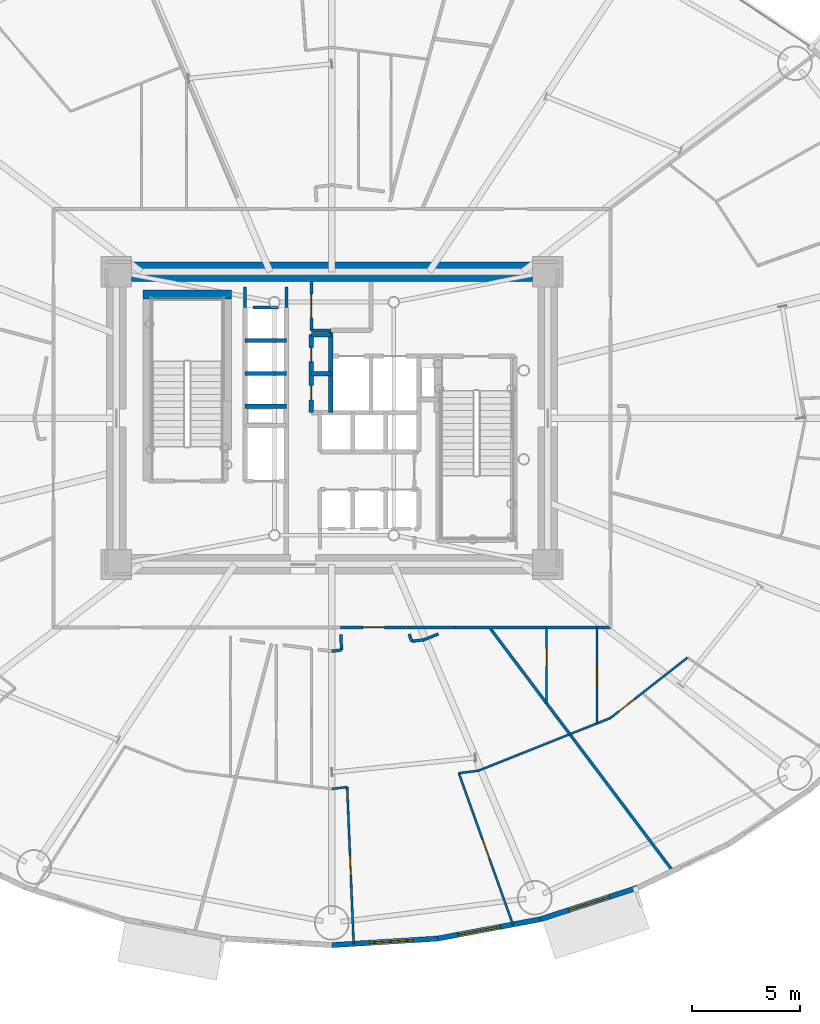
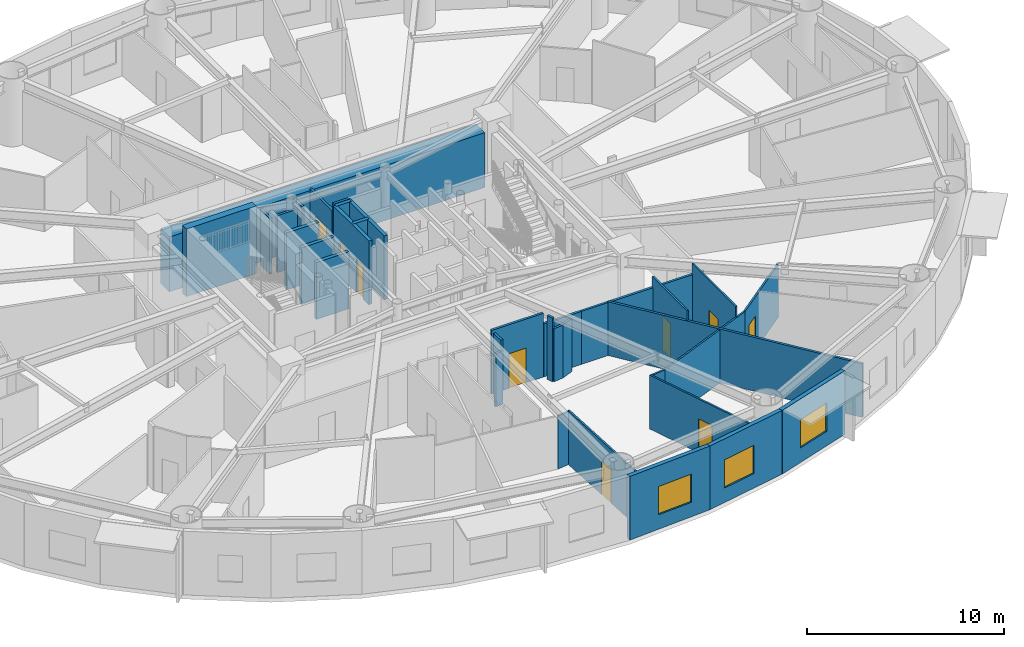
# One storey, part 12 of 24: 34 walls, 9 doors, 3 windows, 12 openings.
"""IFC4 building model written with IfcOpenShell, lengths in metres."""

import ifcopenshell
import ifcopenshell.guid

model = None  # the IFC model being written
_history = None  # IfcOwnerHistory: only IFC2X3 demands one
_inside = {}  # id of a spatial element -> (the spatial element, [elements in it])
_under = {}  # id of a project, library or spatial element -> (it, [spatial elements below it])
_declared = {}  # id of a project -> (the project, [libraries it declares])
_typed = {}  # id of a type object -> (the type object, [elements of that type])
_made_of = {}  # id of a material, layer set ... -> (it, [elements and type objects made of it])


def new_model(schema):
    """Start an empty IFC model of exactly this schema.

    Asked for "IFC4X3", IfcOpenShell would pick the latest addendum, in which some entities
    have other attributes; the version numbers below select the first issue.
    IFC2X3 requires an IfcOwnerHistory on every rooted entity: one is made here for all.
    """
    global model, _history
    if schema == "IFC4X3":
        model = ifcopenshell.file(schema_version=(4, 3, 0, 0))
    else:
        model = ifcopenshell.file(schema=schema)
    _inside.clear()
    _under.clear()
    _declared.clear()
    _typed.clear()
    _made_of.clear()
    _history = None
    if model.schema == "IFC2X3":
        org = make("IfcOrganization", Name="unknown")
        user = make(
            "IfcPersonAndOrganization",
            ThePerson=make("IfcPerson", FamilyName="unknown"),
            TheOrganization=org,
        )
        app = make(
            "IfcApplication",
            ApplicationDeveloper=org,
            Version="unknown",
            ApplicationFullName="unknown",
            ApplicationIdentifier="unknown",
        )
        _history = make(
            "IfcOwnerHistory",
            OwningUser=user,
            OwningApplication=app,
            ChangeAction="ADDED",
            CreationDate=0,
        )
    return model


def make(cls, **values):
    """One entity of the class cls with the attributes given. An attribute that is None is left unset."""
    return model.create_entity(
        cls, **{name: value for name, value in values.items() if value is not None}
    )


def rooted(cls, **values):
    """An entity with a GlobalId (a new one), such as an element, a storey or a relation."""
    return make(cls, GlobalId=ifcopenshell.guid.new(), OwnerHistory=_history, **values)


def si_unit(unit_type, name, prefix=None):
    """IfcSIUnit, for example si_unit("LENGTHUNIT", "METRE", prefix="MILLI")."""
    return make("IfcSIUnit", UnitType=unit_type, Prefix=prefix, Name=name)


def assignment(units):
    """IfcUnitAssignment: the units of a project."""
    return None if units is None else make("IfcUnitAssignment", Units=units)


def point(xyz):
    """IfcCartesianPoint."""
    return None if xyz is None else make("IfcCartesianPoint", Coordinates=xyz)


def direction(xyz):
    """IfcDirection."""
    return None if xyz is None else make("IfcDirection", DirectionRatios=xyz)


def frame(location, z_axis=None, x_axis=None):
    """IfcAxis2Placement3D, a coordinate frame: its origin and axes. An axis left out is left unset."""
    return make(
        "IfcAxis2Placement3D",
        Location=point(location),
        Axis=direction(z_axis),
        RefDirection=direction(x_axis),
    )


def frame_2d(location, x_axis=None):
    """IfcAxis2Placement2D, a coordinate frame in the plane: its origin and x axis."""
    return make(
        "IfcAxis2Placement2D", Location=point(location), RefDirection=direction(x_axis)
    )


def origin():
    """The frame at (0, 0, 0) with its axes left unset."""
    return frame((0.0, 0.0, 0.0))


def origin_2d():
    """The frame at (0, 0) in the plane with its x axis left unset."""
    return frame_2d((0.0, 0.0))


def place(relative_to, where):
    """IfcLocalPlacement: puts the frame where relative to a parent placement (None: the world)."""
    return make(
        "IfcLocalPlacement", PlacementRelTo=relative_to, RelativePlacement=where
    )


def context(
    kind, dimensions, precision=None, world=None, true_north=None, identifier=None
):
    """IfcGeometricRepresentationContext, for example the 3D "Model" context."""
    return make(
        "IfcGeometricRepresentationContext",
        ContextIdentifier=identifier,
        ContextType=kind,
        CoordinateSpaceDimension=dimensions,
        Precision=precision,
        WorldCoordinateSystem=world,
        TrueNorth=true_north,
    )


def subcontext(parent, identifier, kind, view, scale=None):
    """IfcGeometricRepresentationSubContext, for example "Body" below "Model"."""
    return make(
        "IfcGeometricRepresentationSubContext",
        ContextIdentifier=identifier,
        ContextType=kind,
        ParentContext=parent,
        TargetScale=scale,
        TargetView=view,
    )


def project(units=None, contexts=None):
    """IfcProject with its units and contexts."""
    return rooted(
        "IfcProject",
        Name="project",
        RepresentationContexts=contexts,
        UnitsInContext=assignment(units),
    )


def spatial(cls, under=None, at=None, **own):
    """A site, building, storey or space (cls), placed at a placement, below another one or the project."""
    s = rooted(cls, ObjectPlacement=at, **own)
    if under is not None:
        _under.setdefault(under.id(), (under, []))[1].append(s)
    return s


def profile(cls, at=None, kind="AREA", **sizes):
    """A parametric profile (cls). Its sizes go by their IFC names, for example OverallWidth=200.0."""
    return make(cls, ProfileType=kind, Position=at, **sizes)


def rectangle(**sizes):
    """IfcRectangleProfileDef."""
    return profile("IfcRectangleProfileDef", **sizes)


def extrude(swept, where, along, depth):
    """IfcExtrudedAreaSolid: the profile swept, set in the frame where, extruded along a direction by depth."""
    return make(
        "IfcExtrudedAreaSolid",
        SweptArea=swept,
        Position=where,
        ExtrudedDirection=direction(along),
        Depth=depth,
    )


def shape(context_of_items, identifier, shape_type, items):
    """IfcShapeRepresentation: the items that make up one representation, for example the "Body"."""
    return make(
        "IfcShapeRepresentation",
        ContextOfItems=context_of_items,
        RepresentationIdentifier=identifier,
        RepresentationType=shape_type,
        Items=items,
    )


def source(mapping_origin, context_of_items, identifier, shape_type, items):
    """IfcRepresentationMap: a shape defined once, which mapped items show again and again."""
    return make(
        "IfcRepresentationMap",
        MappingOrigin=mapping_origin,
        MappedRepresentation=shape(context_of_items, identifier, shape_type, items),
    )


def transform(
    local_origin,
    x_axis=None,
    y_axis=None,
    z_axis=None,
    scale=None,
    scale2=None,
    scale3=None,
    uniform=True,
):
    """IfcCartesianTransformationOperator3D, or its non-uniform kind. x_axis, y_axis, z_axis: its Axis1, 2, 3."""
    if uniform:
        return make(
            "IfcCartesianTransformationOperator3D",
            Axis1=direction(x_axis),
            Axis2=direction(y_axis),
            LocalOrigin=point(local_origin),
            Scale=scale,
            Axis3=direction(z_axis),
        )
    return make(
        "IfcCartesianTransformationOperator3DnonUniform",
        Axis1=direction(x_axis),
        Axis2=direction(y_axis),
        LocalOrigin=point(local_origin),
        Scale=scale,
        Axis3=direction(z_axis),
        Scale2=scale2,
        Scale3=scale3,
    )


def mapped(mapping_source, mapping_target):
    """IfcMappedItem: shows the shape of a source again, moved by a transform."""
    return make(
        "IfcMappedItem", MappingSource=mapping_source, MappingTarget=mapping_target
    )


def material(Name=None, Category=None):
    """IfcMaterial."""
    return make("IfcMaterial", Name=Name, Category=Category)


def layer(
    of_material, thickness, ventilated=None, Name=None, Category=None, Priority=None
):
    """IfcMaterialLayer: one layer of a wall or slab, of a material (None: an air gap)."""
    return make(
        "IfcMaterialLayer",
        Material=of_material,
        LayerThickness=thickness,
        IsVentilated=ventilated,
        Name=Name,
        Category=Category,
        Priority=Priority,
    )


def layer_set(layers, Name=None):
    """IfcMaterialLayerSet."""
    return make("IfcMaterialLayerSet", MaterialLayers=layers, LayerSetName=Name)


def made_of(thing, what):
    """Note that an element or type object is made of a material, layer set ...; save() writes the relation."""
    if what is not None:
        _made_of.setdefault(what.id(), (what, []))[1].append(thing)
    return thing


def type_object(cls, material=None, **own):
    """A type object (cls), such as IfcWallType, which elements share."""
    return made_of(rooted(cls, **own), material)


def element(
    cls,
    number,
    at=None,
    inside=None,
    cuts=None,
    type_object=None,
    material=None,
    context=None,
    identifier="Body",
    shape_type=None,
    held_by="IfcProductDefinitionShape",
    body=None,
    shapes=None,
    **own,
):
    """One element of the class cls, such as IfcWall. Its Tag is "e" and its number.

    at: its placement. inside: the storey or other place that contains it. cuts: it is an
    opening in that element (IfcRelVoidsElement). A single representation is given by context,
    identifier, shape_type and body (its items); several are given by shapes. held_by: the class
    of the entity that holds the representations. save() writes the other relations.
    """
    e = rooted(cls, Tag="e%d" % number, ObjectPlacement=at, **own)
    if body is not None:
        shapes = [shape(context, identifier, shape_type, body)]
    if shapes is not None:
        e.Representation = make(held_by, Representations=shapes)
    if inside is not None:
        _inside.setdefault(inside.id(), (inside, []))[1].append(e)
    if cuts is not None:
        rooted(
            "IfcRelVoidsElement", RelatingBuildingElement=cuts, RelatedOpeningElement=e
        )
    if type_object is not None:
        _typed.setdefault(type_object.id(), (type_object, []))[1].append(e)
    return made_of(e, material)


def fill(opening, filler):
    """IfcRelFillsElement: the door or window that sits in an opening."""
    return rooted(
        "IfcRelFillsElement",
        RelatingOpeningElement=opening,
        RelatedBuildingElement=filler,
    )


def aggregate(whole, parts):
    """IfcRelAggregates: a whole, such as a stair, and the parts it consists of."""
    return rooted("IfcRelAggregates", RelatingObject=whole, RelatedObjects=parts)


def save(model, path):
    """Write the relations noted so far, then the file.

    IfcRelAggregates (storeys below a building ...), IfcRelContainedInSpatialStructure (elements
    in a storey), IfcRelDefinesByType, IfcRelAssociatesMaterial and IfcRelDeclares: one each for
    every whole, place, type object, material and project.
    """
    for whole, parts in _under.values():
        aggregate(whole, parts)
    for where, things in _inside.values():
        rooted(
            "IfcRelContainedInSpatialStructure",
            RelatedElements=things,
            RelatingStructure=where,
        )
    for kind, things in _typed.values():
        rooted("IfcRelDefinesByType", RelatedObjects=things, RelatingType=kind)
    for what, things in _made_of.values():
        rooted("IfcRelAssociatesMaterial", RelatedObjects=things, RelatingMaterial=what)
    for by, libraries in _declared.values():
        rooted("IfcRelDeclares", RelatingContext=by, RelatedDefinitions=libraries)
    model.write(path)


model = new_model("IFC4")

# Units and contexts
model_context = context("Model", 3, precision=1e-05, world=origin(), true_north=direction((0.0, 1.0)))
body_context = subcontext(model_context, "Body", "Model", "MODEL_VIEW")
ifc_project = project(units=[si_unit("LENGTHUNIT", "METRE"), si_unit("AREAUNIT", "SQUARE_METRE"), si_unit("VOLUMEUNIT", "CUBIC_METRE"), si_unit("PLANEANGLEUNIT", "RADIAN"), si_unit("MASSUNIT", "GRAM", prefix="KILO")], contexts=[model_context])

# Site, building, storey
site_placement = place(None, origin())
site = spatial("IfcSite", under=ifc_project, at=site_placement, CompositionType="ELEMENT")
building_placement = place(site_placement, origin())
building = spatial("IfcBuilding", under=site, at=building_placement, Name="Linh Dai School and Residence Tower", CompositionType="ELEMENT")
storey_placement = place(building_placement, frame((0.0, 0.0, 74.39990234375)))
storey = spatial("IfcBuildingStorey", under=building, at=storey_placement, Name="L17", CompositionType="ELEMENT", Elevation=74.39990234375)

# Wall, opening, window
ifc_material_1 = material(Name="Precast Concrete B45 (C35/45)", Category="concrete")
ifc_layer_1 = layer(ifc_material_1, 0.239990234375)
ifc_layer_set_1 = layer_set([ifc_layer_1], Name="Precast Concrete B45 (C35/45)")
wall_type_1 = type_object("IfcWallType", Name="EW-TC-240", PredefinedType="SOLIDWALL", material=ifc_layer_set_1)
wall_1_placement = place(storey_placement, frame((40.865478515625, 2.994873046875, 0.0), z_axis=(0.0, 0.0, 1.0), x_axis=(-0.998106954071, -0.061502099433, 0.0)))
wall_1 = element("IfcWall", 1, at=wall_1_placement, inside=storey, type_object=wall_type_1, Name="L17 Terracotta Exterior Wall 31", PredefinedType="SOLIDWALL", context=body_context, shape_type="SweptSolid", body=[
    extrude(rectangle(XDim=4.874755859375, YDim=0.239990234375, at=frame_2d((2.4375, 0.0))), origin(), (0.0, 0.0, 1.0), 3.9501953125),
])
opening_1_placement = place(wall_1_placement, frame((1.128173828125, 0.0, 0.89990234375)))
opening_1 = element("IfcOpeningElement", 2, at=opening_1_placement, cuts=wall_1, Name="Opening W1", PredefinedType="OPENING", context=body_context, shape_type="SweptSolid", body=[
    extrude(rectangle(XDim=2.0, YDim=1.75, at=origin_2d()), frame((1.0, 0.1298828125, 0.875), z_axis=(0.0, -1.0, 0.0), x_axis=(1.0, 0.0, 0.0)), (0.0, 0.0, 1.0), 0.260009765625),
])
ifc_material_2 = material(Name="Double Low-E Insulated Glazing", Category="glass")
window_type = type_object("IfcWindowType", Name="WN-RES-2000x1750", PartitioningType="DOUBLE_PANEL_VERTICAL", PredefinedType="WINDOW", material=ifc_material_2)
shared_shape_1 = source(origin(), body_context, "Body", "SweptSolid", [
    extrude(rectangle(XDim=2.0, YDim=1.75, at=origin_2d()), frame((1.0, 0.030029296875, 0.875), z_axis=(0.0, -1.0, 0.0), x_axis=(1.0, 0.0, 0.0)), (0.0, 0.0, 1.0), 0.06005859375),
])
window_1_placement = place(opening_1_placement, origin())
window_1 = element("IfcWindow", 3, at=window_1_placement, inside=storey, type_object=window_type, Name="L17 Exterior Window 31.1", OverallHeight=1.75, OverallWidth=2.0, PartitioningType="DOUBLE_PANEL_VERTICAL", PredefinedType="WINDOW", context=body_context, shape_type="MappedRepresentation", body=[
    mapped(shared_shape_1, transform((0.0, 0.0, 0.0), x_axis=(1.0, 0.0, 0.0), y_axis=(0.0, 1.0, 0.0), z_axis=(0.0, 0.0, 1.0), scale=1.0)),
])
fill(opening_1, window_1)

wall_2_placement = place(storey_placement, frame((45.610595703125, 3.88671875, 0.0), z_axis=(0.0, 0.0, 1.0), x_axis=(-0.982791952378, -0.184715939598, 0.0)))
wall_2 = element("IfcWall", 4, at=wall_2_placement, inside=storey, type_object=wall_type_1, Name="L17 Terracotta Exterior Wall 32", PredefinedType="SOLIDWALL", context=body_context, shape_type="SweptSolid", body=[
    extrude(rectangle(XDim=4.828125, YDim=0.239990234375, at=frame_2d((2.4140625, 0.0))), origin(), (0.0, 0.0, 1.0), 3.9501953125),
])
opening_2_placement = place(wall_2_placement, frame((1.873779296875, 0.0, 0.89990234375)))
opening_2 = element("IfcOpeningElement", 5, at=opening_2_placement, cuts=wall_2, Name="Opening W1", PredefinedType="OPENING", context=body_context, shape_type="SweptSolid", body=[
    extrude(rectangle(XDim=2.0, YDim=1.75, at=origin_2d()), frame((1.0, 0.1298828125, 0.875), z_axis=(0.0, -1.0, 0.0), x_axis=(1.0, 0.0, 0.0)), (0.0, 0.0, 1.0), 0.260009765625),
])
window_2_placement = place(opening_2_placement, origin())
window_2 = element("IfcWindow", 6, at=window_2_placement, inside=storey, type_object=window_type, Name="L17 Exterior Window 32.1", OverallHeight=1.75, OverallWidth=2.0, PartitioningType="DOUBLE_PANEL_VERTICAL", PredefinedType="WINDOW", context=body_context, shape_type="MappedRepresentation", body=[
    mapped(shared_shape_1, transform((0.0, 0.0, 0.0), x_axis=(1.0, 0.0, 0.0), y_axis=(0.0, 1.0, 0.0), z_axis=(0.0, 0.0, 1.0), scale=1.0)),
])
fill(opening_2, window_2)

wall_3_placement = place(storey_placement, frame((50.1181640625, 5.348876953125, 0.0), z_axis=(0.0, 0.0, 1.0), x_axis=(-0.951207699013, -0.308551313946, 0.0)))
wall_3 = element("IfcWall", 7, at=wall_3_placement, inside=storey, type_object=wall_type_1, Name="L17 Terracotta Exterior Wall 33", PredefinedType="SOLIDWALL", context=body_context, shape_type="SweptSolid", body=[
    extrude(rectangle(XDim=4.73876953125, YDim=0.239990234375, at=frame_2d((2.369384765625, 0.0))), origin(), (0.0, 0.0, 1.0), 3.9501953125),
])
opening_3_placement = place(wall_3_placement, frame((1.369384765625, 0.0, 0.89990234375)))
opening_3 = element("IfcOpeningElement", 8, at=opening_3_placement, cuts=wall_3, Name="Opening W1", PredefinedType="OPENING", context=body_context, shape_type="SweptSolid", body=[
    extrude(rectangle(XDim=2.0, YDim=1.75, at=origin_2d()), frame((1.0, 0.1298828125, 0.875), z_axis=(0.0, -1.0, 0.0), x_axis=(1.0, 0.0, 0.0)), (0.0, 0.0, 1.0), 0.260009765625),
])
window_3_placement = place(opening_3_placement, origin())
window_3 = element("IfcWindow", 9, at=window_3_placement, inside=storey, type_object=window_type, Name="L17 Exterior Window 33.1", OverallHeight=1.75, OverallWidth=2.0, PartitioningType="DOUBLE_PANEL_VERTICAL", PredefinedType="WINDOW", context=body_context, shape_type="MappedRepresentation", body=[
    mapped(shared_shape_1, transform((0.0, 0.0, 0.0), x_axis=(1.0, 0.0, 0.0), y_axis=(0.0, 1.0, 0.0), z_axis=(0.0, 0.0, 1.0), scale=1.0)),
])
fill(opening_3, window_3)

# Wall, opening, door
ifc_material_3 = material(Name="Autoclaved Aerated Concrete Blockwork", Category="masonry")
ifc_layer_2 = layer(ifc_material_3, 0.135009765625)
ifc_layer_set_2 = layer_set([ifc_layer_2], Name="Autoclaved Aerated Concrete Blockwork")
wall_type_2 = type_object("IfcWallType", Name="IW-CORR-135-EI90", PredefinedType="PARTITIONING", material=ifc_layer_set_2)
wall_4_placement = place(storey_placement, frame((35.050048828125, 31.050048828125, 0.0), z_axis=(0.0, 0.0, 1.0), x_axis=(0.0, 1.0, 0.0)))
wall_4 = element("IfcWall", 10, at=wall_4_placement, inside=storey, type_object=wall_type_2, Name="L17 Interior Partition Wall 051", PredefinedType="PARTITIONING", context=body_context, shape_type="SweptSolid", body=[
    extrude(rectangle(XDim=2.25, YDim=0.135009765625, at=frame_2d((1.125, 0.0))), origin(), (0.0, 0.0, 1.0), 3.53515625),
])
opening_4_placement = place(wall_4_placement, frame((0.574951171875, 0.0, 0.0)))
opening_4 = element("IfcOpeningElement", 11, at=opening_4_placement, cuts=wall_4, Name="Opening D07", PredefinedType="OPENING", context=body_context, shape_type="SweptSolid", body=[
    extrude(rectangle(XDim=1.10009765625, YDim=2.14990234375, at=origin_2d()), frame((0.550048828125, 0.07763671875, 1.074951171875), z_axis=(0.0, -1.0, 0.0), x_axis=(1.0, 0.0, 0.0)), (0.0, 0.0, 1.0), 0.155029296875),
])
ifc_material_4 = material(Name="Fire-Rated Louvred Steel Plant Door", Category="steel")
door_type_1 = type_object("IfcDoorType", Name="DR-PLT-1100x2150-FD60S", OperationType="NOTDEFINED", PredefinedType="DOOR", material=ifc_material_4)
shared_shape_2 = source(origin(), body_context, "Body", "SweptSolid", [
    extrude(rectangle(XDim=1.10009765625, YDim=2.14990234375, at=origin_2d()), frame((0.550048828125, 0.02490234375, 1.074951171875), z_axis=(0.0, -1.0, 0.0), x_axis=(1.0, 0.0, 0.0)), (0.0, 0.0, 1.0), 0.050048828125),
])
door_1_placement = place(opening_4_placement, origin())
door_1 = element("IfcDoor", 12, at=door_1_placement, inside=storey, type_object=door_type_1, Name="L17 North BMS Switchroom Door", OperationType="SINGLE_SWING_LEFT", OverallHeight=2.14990234375, OverallWidth=1.10009765625, PredefinedType="DOOR", context=body_context, shape_type="MappedRepresentation", body=[
    mapped(shared_shape_2, transform((0.0, 0.0, 0.0), x_axis=(1.0, 0.0, 0.0), y_axis=(0.0, 1.0, 0.0), z_axis=(0.0, 0.0, 1.0), scale=1.0)),
])
fill(opening_4, door_1)

# Wall
wall_5_placement = place(storey_placement, frame((35.050048828125, 31.050048828125, 0.0), z_axis=(0.0, 0.0, 1.0), x_axis=(1.0, 0.0, 0.0)))
element("IfcWall", 13, at=wall_5_placement, inside=storey, type_object=wall_type_2, Name="L17 Interior Partition Wall 052", PredefinedType="PARTITIONING", context=body_context, shape_type="SweptSolid", body=[
    extrude(rectangle(XDim=0.89990234375, YDim=0.135009765625, at=frame_2d((0.449951171875, 0.0))), origin(), (0.0, 0.0, 1.0), 3.9501953125),
])

# Wall, opening, door
wall_6_placement = place(storey_placement, frame((36.398681640625, 17.35009765625, 0.0), z_axis=(0.0, 0.0, 1.0), x_axis=(1.0, 0.0, 0.0)))
wall_6 = element("IfcWall", 14, at=wall_6_placement, inside=storey, type_object=wall_type_2, Name="L17 Interior Partition Wall 063", PredefinedType="PARTITIONING", context=body_context, shape_type="SweptSolid", body=[
    extrude(rectangle(XDim=3.05029296875, YDim=0.135009765625, at=frame_2d((1.525146484375, 0.0))), origin(), (0.0, 0.0, 1.0), 3.9501953125),
])
opening_5_placement = place(wall_6_placement, frame((1.025146484375, 0.0, 0.0)))
opening_5 = element("IfcOpeningElement", 15, at=opening_5_placement, cuts=wall_6, Name="Opening D03", PredefinedType="OPENING", context=body_context, shape_type="SweptSolid", body=[
    extrude(rectangle(XDim=1.0, YDim=2.14990234375, at=origin_2d()), frame((0.5, 0.07763671875, 1.074951171875), z_axis=(0.0, -1.0, 0.0), x_axis=(1.0, 0.0, 0.0)), (0.0, 0.0, 1.0), 0.155029296875),
])
ifc_material_5 = material(Name="Fire-Rated Solid Timber Entrance Door", Category="wood")
door_type_2 = type_object("IfcDoorType", Name="DR-FLAT-1000x2150-FD60S", OperationType="NOTDEFINED", PredefinedType="DOOR", material=ifc_material_5)
shared_shape_3 = source(origin(), body_context, "Body", "SweptSolid", [
    extrude(rectangle(XDim=1.0, YDim=2.14990234375, at=origin_2d()), frame((0.5, 0.02490234375, 1.074951171875), z_axis=(0.0, -1.0, 0.0), x_axis=(1.0, 0.0, 0.0)), (0.0, 0.0, 1.0), 0.050048828125),
])
door_2_placement = place(opening_5_placement, origin())
door_2 = element("IfcDoor", 16, at=door_2_placement, inside=storey, type_object=door_type_2, Name="L17 U1705 Apartment Entrance Door", OperationType="SINGLE_SWING_RIGHT", OverallHeight=2.14990234375, OverallWidth=1.0, PredefinedType="DOOR", context=body_context, shape_type="MappedRepresentation", body=[
    mapped(shared_shape_3, transform((0.0, 0.0, 0.0), x_axis=(1.0, 0.0, 0.0), y_axis=(0.0, 1.0, 0.0), z_axis=(0.0, 0.0, 1.0), scale=1.0)),
])
fill(opening_5, door_2)

# Walls
wall_7_placement = place(storey_placement, frame((41.6787109375, 17.35009765625, 0.0), z_axis=(0.0, 0.0, 1.0), x_axis=(1.0, 0.0, 0.0)))
element("IfcWall", 17, at=wall_7_placement, inside=storey, type_object=wall_type_2, Name="L17 Interior Partition Wall 084", PredefinedType="PARTITIONING", context=body_context, shape_type="SweptSolid", body=[
    extrude(rectangle(XDim=7.17138671875, YDim=0.135009765625, at=frame_2d((3.585693359375, 0.0))), origin(), (0.0, 0.0, 1.0), 3.28515625),
])
wall_8_placement = place(storey_placement, frame((43.26318359375, 17.35009765625, 0.0), z_axis=(0.0, 0.0, 1.0), x_axis=(0.601348900386, -0.798986545571, 0.0)))
element("IfcWall", 18, at=wall_8_placement, inside=storey, type_object=wall_type_2, Name="L17 Interior Partition Wall 089", PredefinedType="PARTITIONING", context=body_context, shape_type="SweptSolid", body=[
    extrude(rectangle(XDim=14.06494140625, YDim=0.135009765625, at=frame_2d((7.032470703125, 0.0))), origin(), (0.0, 0.0, 1.0), 3.335205078125),
])
wall_9_placement = place(storey_placement, frame((32.360107421875, 32.10009765625, 0.0), z_axis=(0.0, 0.0, 1.0), x_axis=(1.0, 0.0, 0.0)))
element("IfcWall", 19, at=wall_9_placement, inside=storey, type_object=wall_type_2, Name="L17 Interior Partition Wall 115", PredefinedType="PARTITIONING", context=body_context, shape_type="SweptSolid", body=[
    extrude(rectangle(XDim=1.179931640625, YDim=0.135009765625, at=frame_2d((0.58984375, 0.0))), origin(), (0.0, 0.0, 1.0), 3.53515625),
])
wall_10_placement = place(storey_placement, frame((32.0, 33.0400390625, 0.0), z_axis=(0.0, 0.0, 1.0), x_axis=(0.0, -1.0, 0.0)))
element("IfcWall", 20, at=wall_10_placement, inside=storey, type_object=wall_type_2, Name="L17 Interior Partition Wall 117", PredefinedType="PARTITIONING", context=body_context, shape_type="SweptSolid", body=[
    extrude(rectangle(XDim=0.929931640625, YDim=0.135009765625, at=frame_2d((0.46484375, 0.0))), origin(), (0.0, 0.0, 1.0), 3.485107421875),
])
wall_11_placement = place(storey_placement, frame((33.89990234375, 32.110107421875, 0.0), z_axis=(0.0, 0.0, 1.0), x_axis=(0.0, 1.0, 0.0)))
element("IfcWall", 21, at=wall_11_placement, inside=storey, type_object=wall_type_2, Name="L17 Interior Partition Wall 120", PredefinedType="PARTITIONING", context=body_context, shape_type="SweptSolid", body=[
    extrude(rectangle(XDim=0.929931640625, YDim=0.135009765625, at=frame_2d((0.46484375, 0.0))), origin(), (0.0, 0.0, 1.0), 3.53515625),
])
wall_12_placement = place(storey_placement, frame((41.668701171875, 17.35009765625, 0.0), z_axis=(0.0, 0.0, 1.0), x_axis=(-1.0, 0.0, 0.0)))
element("IfcWall", 22, at=wall_12_placement, inside=storey, type_object=wall_type_2, Name="L17 Interior Partition Wall 124", PredefinedType="PARTITIONING", context=body_context, shape_type="SweptSolid", body=[
    extrude(rectangle(XDim=2.209716796875, YDim=0.135009765625, at=frame_2d((1.10498046875, 0.0))), origin(), (0.0, 0.0, 1.0), 3.28515625),
])
wall_13_placement = place(storey_placement, frame((36.0, 16.250732421875, 0.0), z_axis=(0.0, 0.0, 1.0), x_axis=(0.992361995933, 0.123359916621, 0.0)))
element("IfcWall", 23, at=wall_13_placement, inside=storey, type_object=wall_type_2, Name="L17 Interior Partition Wall 146", PredefinedType="PARTITIONING", context=body_context, shape_type="SweptSolid", body=[
    extrude(rectangle(XDim=0.4453125, YDim=0.135009765625, at=frame_2d((0.22265625, 0.0))), origin(), (0.0, 0.0, 1.0), 3.28515625),
])
wall_14_placement = place(storey_placement, frame((36.44189453125, 16.3056640625, 0.0), z_axis=(0.0, 0.0, 1.0), x_axis=(-0.041177579393, 0.999151843793, 0.0)))
element("IfcWall", 24, at=wall_14_placement, inside=storey, type_object=wall_type_2, Name="L17 Interior Partition Wall 147", PredefinedType="PARTITIONING", context=body_context, shape_type="SweptSolid", body=[
    extrude(rectangle(XDim=0.71728515625, YDim=0.135009765625, at=frame_2d((0.358642578125, 0.0))), origin(), (0.0, 0.0, 1.0), 3.9501953125),
])
wall_15_placement = place(storey_placement, frame((39.558837890625, 17.04248046875, 0.0), z_axis=(0.0, 0.0, 1.0), x_axis=(0.336510056282, -0.941679872367, 0.0)))
element("IfcWall", 25, at=wall_15_placement, inside=storey, type_object=wall_type_2, Name="L17 Interior Partition Wall 148", PredefinedType="PARTITIONING", context=body_context, shape_type="SweptSolid", body=[
    extrude(rectangle(XDim=0.356201171875, YDim=0.135009765625, at=frame_2d((0.17822265625, 0.0))), origin(), (0.0, 0.0, 1.0), 3.9501953125),
])
wall_16_placement = place(storey_placement, frame((39.6787109375, 16.70703125, 0.0), z_axis=(0.0, 0.0, 1.0), x_axis=(0.99240961586, 0.122976234894, 0.0)))
element("IfcWall", 26, at=wall_16_placement, inside=storey, type_object=wall_type_2, Name="L17 Interior Partition Wall 149", PredefinedType="PARTITIONING", context=body_context, shape_type="SweptSolid", body=[
    extrude(rectangle(XDim=0.56787109375, YDim=0.135009765625, at=frame_2d((0.283935546875, 0.0))), origin(), (0.0, 0.0, 1.0), 3.28515625),
])
wall_17_placement = place(storey_placement, frame((40.2421875, 16.77685546875, 0.0), z_axis=(0.0, 0.0, 1.0), x_axis=(0.928805178175, 0.370568402587, 0.0)))
element("IfcWall", 27, at=wall_17_placement, inside=storey, type_object=wall_type_2, Name="L17 Interior Partition Wall 150", PredefinedType="PARTITIONING", context=body_context, shape_type="SweptSolid", body=[
    extrude(rectangle(XDim=0.716796875, YDim=0.135009765625, at=frame_2d((0.3583984375, 0.0))), origin(), (0.0, 0.0, 1.0), 3.28515625),
])
ifc_material_6 = material(Name="Concrete B45 (C35/45)", Category="concrete")
ifc_layer_3 = layer(ifc_material_6, 0.199951171875)
ifc_layer_set_3 = layer_set([ifc_layer_3], Name="Concrete B45 (C35/45)")
wall_type_3 = type_object("IfcWallType", Name="IW-SHAFT-200-EI120", PredefinedType="PARTITIONING", material=ifc_layer_set_3)
for number, where, z_axis, x_axis, name in (
    (28, (32.0, 27.550048828125, 0.0), (0.0, 0.0, 1.0), (1.0, 0.0, 0.0), "L17 Interior Partition Wall 040"),
    (29, (32.0, 29.06005859375, 0.0), (0.0, 0.0, 1.0), (1.0, 0.0, 0.0), "L17 Interior Partition Wall 041"),
    (30, (32.0, 30.580078125, 0.0), (0.0, 0.0, 1.0), (1.0, 0.0, 0.0), "L17 Interior Partition Wall 042"),
):
    element("IfcWall", number, at=place(storey_placement, frame(where, z_axis=z_axis, x_axis=x_axis)), inside=storey, type_object=wall_type_3, Name=name, PredefinedType="PARTITIONING", context=body_context, shape_type="SweptSolid", body=[
        extrude(rectangle(XDim=1.89990234375, YDim=0.199951171875, at=frame_2d((0.949951171875, 0.0))), origin(), (0.0, 0.0, 1.0), 3.53515625),
    ])

# Wall, openings, doors
wall_18_placement = place(storey_placement, frame((35.050048828125, 27.25, 0.0), z_axis=(0.0, 0.0, 1.0), x_axis=(0.0, 1.0, 0.0)))
wall_18 = element("IfcWall", 31, at=wall_18_placement, inside=storey, type_object=wall_type_3, Name="L17 Interior Partition Wall 047", PredefinedType="PARTITIONING", context=body_context, shape_type="SweptSolid", body=[
    extrude(rectangle(XDim=3.60009765625, YDim=0.199951171875, at=frame_2d((1.800048828125, 0.0))), origin(), (0.0, 0.0, 1.0), 3.9501953125),
])
opening_6_placement = place(wall_18_placement, frame((0.590087890625, 0.0, 0.0)))
opening_6 = element("IfcOpeningElement", 32, at=opening_6_placement, cuts=wall_18, Name="Opening AD1", PredefinedType="OPENING", context=body_context, shape_type="SweptSolid", body=[
    extrude(rectangle(XDim=0.659912109375, YDim=2.050048828125, at=origin_2d()), frame((0.330078125, 0.10986328125, 1.02490234375), z_axis=(0.0, -1.0, 0.0), x_axis=(1.0, 0.0, 0.0)), (0.0, 0.0, 1.0), 0.219970703125),
])
opening_7_placement = place(wall_18_placement, frame((2.35009765625, 0.0, 0.0)))
opening_7 = element("IfcOpeningElement", 33, at=opening_7_placement, cuts=wall_18, Name="Opening AD1", PredefinedType="OPENING", context=body_context, shape_type="SweptSolid", body=[
    extrude(rectangle(XDim=0.659912109375, YDim=2.050048828125, at=origin_2d()), frame((0.330078125, 0.10986328125, 1.02490234375), z_axis=(0.0, -1.0, 0.0), x_axis=(1.0, 0.0, 0.0)), (0.0, 0.0, 1.0), 0.219970703125),
])
ifc_material_7 = material(Name="Fire-Rated Steel Riser Access Door", Category="steel")
door_type_3 = type_object("IfcDoorType", Name="DR-ACC-660x2050-FD90S", OperationType="NOTDEFINED", PredefinedType="USERDEFINED", material=ifc_material_7)
shared_shape_4 = source(origin(), body_context, "Body", "SweptSolid", [
    extrude(rectangle(XDim=0.659912109375, YDim=2.050048828125, at=origin_2d()), frame((0.330078125, 0.02490234375, 1.02490234375), z_axis=(0.0, -1.0, 0.0), x_axis=(1.0, 0.0, 0.0)), (0.0, 0.0, 1.0), 0.050048828125),
])
door_3_placement = place(opening_6_placement, origin())
door_3 = element("IfcDoor", 34, at=door_3_placement, inside=storey, type_object=door_type_3, Name="L17 Telecom and Data Riser Access Door", ObjectType="ACCESS DOOR", OperationType="SINGLE_SWING_LEFT", OverallHeight=2.050048828125, OverallWidth=0.659912109375, PredefinedType="USERDEFINED", context=body_context, shape_type="MappedRepresentation", body=[
    mapped(shared_shape_4, transform((0.0, 0.0, 0.0), x_axis=(1.0, 0.0, 0.0), y_axis=(0.0, 1.0, 0.0), z_axis=(0.0, 0.0, 1.0), scale=1.0)),
])
fill(opening_6, door_3)
door_4_placement = place(opening_7_placement, origin())
door_4 = element("IfcDoor", 35, at=door_4_placement, inside=storey, type_object=door_type_3, Name="L17 Mechanical and Plumbing Riser Access Door", ObjectType="ACCESS DOOR", OperationType="SINGLE_SWING_RIGHT", OverallHeight=2.050048828125, OverallWidth=0.659912109375, PredefinedType="USERDEFINED", context=body_context, shape_type="MappedRepresentation", body=[
    mapped(shared_shape_4, transform((0.0, 0.0, 0.0), x_axis=(1.0, 0.0, 0.0), y_axis=(0.0, 1.0, 0.0), z_axis=(0.0, 0.0, 1.0), scale=1.0)),
])
fill(opening_7, door_4)

# Walls
for number, where, z_axis, x_axis, name in (
    (36, (35.050048828125, 29.050048828125, 0.0), (0.0, 0.0, 1.0), (1.0, 0.0, 0.0), "L17 Interior Partition Wall 049"),
    (37, (35.050048828125, 30.85009765625, 0.0), (0.0, 0.0, 1.0), (1.0, 0.0, 0.0), "L17 Interior Partition Wall 050"),
):
    element("IfcWall", number, at=place(storey_placement, frame(where, z_axis=z_axis, x_axis=x_axis)), inside=storey, type_object=wall_type_3, Name=name, PredefinedType="PARTITIONING", context=body_context, shape_type="SweptSolid", body=[
        extrude(rectangle(XDim=0.89990234375, YDim=0.199951171875, at=frame_2d((0.449951171875, 0.0))), origin(), (0.0, 0.0, 1.0), 3.9501953125),
    ])
wall_19_placement = place(storey_placement, frame((35.949951171875, 27.25, 0.0), z_axis=(0.0, 0.0, 1.0), x_axis=(0.0, 1.0, 0.0)))
element("IfcWall", 38, at=wall_19_placement, inside=storey, type_object=wall_type_3, Name="L17 Interior Partition Wall 058", PredefinedType="PARTITIONING", context=body_context, shape_type="SweptSolid", body=[
    extrude(rectangle(XDim=3.800048828125, YDim=0.199951171875, at=frame_2d((1.89990234375, 0.0))), origin(), (0.0, 0.0, 1.0), 3.9501953125),
])
ifc_material_8 = material(Name="Gypsum Plasterboard Acoustic Stud Partition", Category="masonry")
ifc_layer_4 = layer(ifc_material_8, 0.10009765625)
ifc_layer_set_4 = layer_set([ifc_layer_4], Name="Gypsum Plasterboard Acoustic Stud Partition")
wall_type_4 = type_object("IfcWallType", Name="IW-UNIT-100", PredefinedType="PARTITIONING", material=ifc_layer_set_4)
wall_20_placement = place(storey_placement, frame((36.0, 9.89892578125, 0.0), z_axis=(0.0, 0.0, 1.0), x_axis=(0.992404586029, 0.123016818477, 0.0)))
element("IfcWall", 39, at=wall_20_placement, inside=storey, type_object=wall_type_4, Name="L17 Interior Partition Wall 061", PredefinedType="PARTITIONING", context=body_context, shape_type="SweptSolid", body=[
    extrude(rectangle(XDim=0.70849609375, YDim=0.10009765625, at=frame_2d((0.354248046875, 0.0))), origin(), (0.0, 0.0, 1.0), 3.28515625),
])

# Wall, opening, door
wall_21_placement = place(storey_placement, frame((36.703125, 9.986083984375, 0.0), z_axis=(0.0, 0.0, 1.0), x_axis=(0.041271500864, -0.999147968629, 0.0)))
wall_21 = element("IfcWall", 40, at=wall_21_placement, inside=storey, type_object=wall_type_4, Name="L17 Interior Partition Wall 064", PredefinedType="PARTITIONING", context=body_context, shape_type="SweptSolid", body=[
    extrude(rectangle(XDim=7.240478515625, YDim=0.10009765625, at=frame_2d((3.6201171875, 0.0))), origin(), (0.0, 0.0, 1.0), 3.335205078125),
])
opening_8_placement = place(wall_21_placement, frame((3.17041015625, 0.0, 0.0)))
opening_8 = element("IfcOpeningElement", 41, at=opening_8_placement, cuts=wall_21, Name="Opening D05", PredefinedType="OPENING", context=body_context, shape_type="SweptSolid", body=[
    extrude(rectangle(XDim=0.89990234375, YDim=2.10009765625, at=origin_2d()), frame((0.449951171875, 0.06005859375, 1.050048828125), z_axis=(0.0, -1.0, 0.0), x_axis=(1.0, 0.0, 0.0)), (0.0, 0.0, 1.0), 0.1201171875),
])
ifc_material_9 = material(Name="Engineered Timber Internal Door", Category="wood")
door_type_4 = type_object("IfcDoorType", Name="DR-INT-900x2100", OperationType="NOTDEFINED", PredefinedType="DOOR", material=ifc_material_9)
shared_shape_5 = source(origin(), body_context, "Body", "SweptSolid", [
    extrude(rectangle(XDim=0.89990234375, YDim=2.10009765625, at=origin_2d()), frame((0.449951171875, 0.02490234375, 1.050048828125), z_axis=(0.0, -1.0, 0.0), x_axis=(1.0, 0.0, 0.0)), (0.0, 0.0, 1.0), 0.050048828125),
])
door_5_placement = place(opening_8_placement, origin())
door_5 = element("IfcDoor", 42, at=door_5_placement, inside=storey, type_object=door_type_4, Name="L17 Apartment U1705 Principal Bedroom 1 Door", OperationType="SINGLE_SWING_LEFT", OverallHeight=2.10009765625, OverallWidth=0.89990234375, PredefinedType="DOOR", context=body_context, shape_type="MappedRepresentation", body=[
    mapped(shared_shape_5, transform((0.0, 0.0, 0.0), x_axis=(1.0, 0.0, 0.0), y_axis=(0.0, 1.0, 0.0), z_axis=(0.0, 0.0, 1.0), scale=1.0)),
])
fill(opening_8, door_5)

# Wall
wall_22_placement = place(storey_placement, frame((41.8525390625, 10.624755859375, 0.0), z_axis=(0.0, 0.0, 1.0), x_axis=(0.992377342159, 0.123236401967, 0.0)))
element("IfcWall", 43, at=wall_22_placement, inside=storey, type_object=wall_type_4, Name="L17 Interior Partition Wall 085", PredefinedType="PARTITIONING", context=body_context, shape_type="SweptSolid", body=[
    extrude(rectangle(XDim=0.9033203125, YDim=0.10009765625, at=frame_2d((0.45166015625, 0.0))), origin(), (0.0, 0.0, 1.0), 3.28515625),
])

# Wall, opening, door
wall_23_placement = place(storey_placement, frame((41.8525390625, 10.624755859375, 0.0), z_axis=(0.0, 0.0, 1.0), x_axis=(0.336528336128, -0.941673339849, 0.0)))
wall_23 = element("IfcWall", 44, at=wall_23_placement, inside=storey, type_object=wall_type_4, Name="L17 Interior Partition Wall 086", PredefinedType="PARTITIONING", context=body_context, shape_type="SweptSolid", body=[
    extrude(rectangle(XDim=7.412841796875, YDim=0.10009765625, at=frame_2d((3.70654296875, 0.0))), origin(), (0.0, 0.0, 1.0), 3.335205078125),
])
opening_9_placement = place(wall_23_placement, frame((3.256591796875, 0.0, 0.0)))
opening_9 = element("IfcOpeningElement", 45, at=opening_9_placement, cuts=wall_23, Name="Opening D05", PredefinedType="OPENING", context=body_context, shape_type="SweptSolid", body=[
    extrude(rectangle(XDim=0.89990234375, YDim=2.10009765625, at=origin_2d()), frame((0.449951171875, 0.06005859375, 1.050048828125), z_axis=(0.0, -1.0, 0.0), x_axis=(1.0, 0.0, 0.0)), (0.0, 0.0, 1.0), 0.1201171875),
])
door_6_placement = place(opening_9_placement, origin())
door_6 = element("IfcDoor", 46, at=door_6_placement, inside=storey, type_object=door_type_4, Name="L17 Apartment U1705 Principal Bedroom 2 Door", OperationType="SINGLE_SWING_RIGHT", OverallHeight=2.10009765625, OverallWidth=0.89990234375, PredefinedType="DOOR", context=body_context, shape_type="MappedRepresentation", body=[
    mapped(shared_shape_5, transform((0.0, 0.0, 0.0), x_axis=(1.0, 0.0, 0.0), y_axis=(0.0, 1.0, 0.0), z_axis=(0.0, 0.0, 1.0), scale=1.0)),
])
fill(opening_9, door_6)

# Wall
wall_24_placement = place(storey_placement, frame((42.7490234375, 10.736083984375, 0.0), z_axis=(0.0, 0.0, 1.0), x_axis=(0.928807683782, 0.370562122386, 0.0)))
element("IfcWall", 47, at=wall_24_placement, inside=storey, type_object=wall_type_4, Name="L17 Interior Partition Wall 087", PredefinedType="PARTITIONING", context=body_context, shape_type="SweptSolid", body=[
    extrude(rectangle(XDim=6.5546875, YDim=0.10009765625, at=frame_2d((3.27734375, 0.0))), origin(), (0.0, 0.0, 1.0), 3.28515625),
])

# Wall, opening, door
wall_25_placement = place(storey_placement, frame((45.9033203125, 13.842041015625, 0.0), z_axis=(0.0, 0.0, 1.0), x_axis=(0.0, 1.0, 0.0)))
wall_25 = element("IfcWall", 48, at=wall_25_placement, inside=storey, type_object=wall_type_4, Name="L17 Interior Partition Wall 091", PredefinedType="PARTITIONING", context=body_context, shape_type="SweptSolid", body=[
    extrude(rectangle(XDim=3.508056640625, YDim=0.10009765625, at=frame_2d((1.75390625, 0.0))), origin(), (0.0, 0.0, 1.0), 3.9501953125),
])
opening_10_placement = place(wall_25_placement, frame((1.711181640625, 0.0, 0.0)))
opening_10 = element("IfcOpeningElement", 49, at=opening_10_placement, cuts=wall_25, Name="Opening D06", PredefinedType="OPENING", context=body_context, shape_type="SweptSolid", body=[
    extrude(rectangle(XDim=0.820068359375, YDim=2.10009765625, at=origin_2d()), frame((0.41015625, 0.06005859375, 1.050048828125), z_axis=(0.0, -1.0, 0.0), x_axis=(1.0, 0.0, 0.0)), (0.0, 0.0, 1.0), 0.1201171875),
])
ifc_material_10 = material(Name="Moisture-Resistant Timber Bathroom Door", Category="wood")
door_type_5 = type_object("IfcDoorType", Name="DR-WET-820x2100", OperationType="NOTDEFINED", PredefinedType="DOOR", material=ifc_material_10)
shared_shape_6 = source(origin(), body_context, "Body", "SweptSolid", [
    extrude(rectangle(XDim=0.820068359375, YDim=2.10009765625, at=origin_2d()), frame((0.41015625, 0.02490234375, 1.050048828125), z_axis=(0.0, -1.0, 0.0), x_axis=(1.0, 0.0, 0.0)), (0.0, 0.0, 1.0), 0.050048828125),
])
door_7_placement = place(opening_10_placement, origin())
door_7 = element("IfcDoor", 50, at=door_7_placement, inside=storey, type_object=door_type_5, Name="L17 Apartment U1706 Bathroom 1 Door", OperationType="SINGLE_SWING_LEFT", OverallHeight=2.10009765625, OverallWidth=0.820068359375, PredefinedType="DOOR", context=body_context, shape_type="MappedRepresentation", body=[
    mapped(shared_shape_6, transform((0.0, 0.0, 0.0), x_axis=(1.0, 0.0, 0.0), y_axis=(0.0, 1.0, 0.0), z_axis=(0.0, 0.0, 1.0), scale=1.0)),
])
fill(opening_10, door_7)

wall_26_placement = place(storey_placement, frame((48.226806640625, 12.92138671875, 0.0), z_axis=(0.0, 0.0, 1.0), x_axis=(0.0, 1.0, 0.0)))
wall_26 = element("IfcWall", 51, at=wall_26_placement, inside=storey, type_object=wall_type_4, Name="L17 Interior Partition Wall 092", PredefinedType="PARTITIONING", context=body_context, shape_type="SweptSolid", body=[
    extrude(rectangle(XDim=4.4287109375, YDim=0.10009765625, at=frame_2d((2.21435546875, 0.0))), origin(), (0.0, 0.0, 1.0), 3.9501953125),
])
opening_11_placement = place(wall_26_placement, frame((1.764404296875, 0.0, 0.0)))
opening_11 = element("IfcOpeningElement", 52, at=opening_11_placement, cuts=wall_26, Name="Opening D05", PredefinedType="OPENING", context=body_context, shape_type="SweptSolid", body=[
    extrude(rectangle(XDim=0.89990234375, YDim=2.10009765625, at=origin_2d()), frame((0.449951171875, 0.06005859375, 1.050048828125), z_axis=(0.0, -1.0, 0.0), x_axis=(1.0, 0.0, 0.0)), (0.0, 0.0, 1.0), 0.1201171875),
])
door_8_placement = place(opening_11_placement, origin())
door_8 = element("IfcDoor", 53, at=door_8_placement, inside=storey, type_object=door_type_4, Name="L17 Apartment U1706 Kitchen Door", OperationType="SINGLE_SWING_RIGHT", OverallHeight=2.10009765625, OverallWidth=0.89990234375, PredefinedType="DOOR", context=body_context, shape_type="MappedRepresentation", body=[
    mapped(shared_shape_5, transform((0.0, 0.0, 0.0), x_axis=(1.0, 0.0, 0.0), y_axis=(0.0, 1.0, 0.0), z_axis=(0.0, 0.0, 1.0), scale=1.0)),
])
fill(opening_11, door_8)

wall_27_placement = place(storey_placement, frame((48.837158203125, 13.1650390625, 0.0), z_axis=(0.0, 0.0, 1.0), x_axis=(0.787356886128, 0.616497472717, 0.0)))
wall_27 = element("IfcWall", 54, at=wall_27_placement, inside=storey, type_object=wall_type_4, Name="L17 Interior Partition Wall 093", PredefinedType="PARTITIONING", context=body_context, shape_type="SweptSolid", body=[
    extrude(rectangle(XDim=4.5224609375, YDim=0.10009765625, at=frame_2d((2.26123046875, 0.0))), origin(), (0.0, 0.0, 1.0), 3.28515625),
])
opening_12_placement = place(wall_27_placement, frame((0.505859375, 0.0, 0.0)))
opening_12 = element("IfcOpeningElement", 55, at=opening_12_placement, cuts=wall_27, Name="Opening D05", PredefinedType="OPENING", context=body_context, shape_type="SweptSolid", body=[
    extrude(rectangle(XDim=0.89990234375, YDim=2.10009765625, at=origin_2d()), frame((0.449951171875, 0.06005859375, 1.050048828125), z_axis=(0.0, -1.0, 0.0), x_axis=(1.0, 0.0, 0.0)), (0.0, 0.0, 1.0), 0.1201171875),
])
door_9_placement = place(opening_12_placement, origin())
door_9 = element("IfcDoor", 56, at=door_9_placement, inside=storey, type_object=door_type_4, Name="L17 Apartment U1706 Principal Bedroom 1 Door", OperationType="SINGLE_SWING_RIGHT", OverallHeight=2.10009765625, OverallWidth=0.89990234375, PredefinedType="DOOR", context=body_context, shape_type="MappedRepresentation", body=[
    mapped(shared_shape_5, transform((0.0, 0.0, 0.0), x_axis=(1.0, 0.0, 0.0), y_axis=(0.0, 1.0, 0.0), z_axis=(0.0, 0.0, 1.0), scale=1.0)),
])
fill(opening_12, door_9)

# Walls
ifc_layer_5 = layer(ifc_material_6, 0.39990234375)
ifc_layer_set_5 = layer_set([ifc_layer_5], Name="Concrete B45 (C35/45)")
wall_type_5 = type_object("IfcWallType", Name="WL-CORE400", PredefinedType="SHEAR", material=ifc_layer_set_5)
wall_28_placement = place(storey_placement, frame((27.280029296875, 32.699951171875, 0.0), z_axis=(0.0, 0.0, 1.0), x_axis=(1.0, 0.0, 0.0)))
element("IfcWall", 57, at=wall_28_placement, inside=storey, type_object=wall_type_5, Name="L17 Core Stair ST1 Bearing Wall N", PredefinedType="SHEAR", context=body_context, shape_type="SweptSolid", body=[
    extrude(rectangle(XDim=4.099853515625, YDim=0.39990234375, at=frame_2d((2.0498046875, 0.0))), origin(), (0.0, 0.0, 1.0), 4.2001953125),
])
ifc_material_11 = material(Name="Concrete B60 (C50/60)", Category="concrete")
ifc_layer_6 = layer(ifc_material_11, 0.89990234375)
ifc_layer_set_6 = layer_set([ifc_layer_6], Name="Concrete B60 (C50/60)")
wall_type_6 = type_object("IfcWallType", Name="WL-CORE900", PredefinedType="SHEAR", material=ifc_layer_set_6)
wall_29_placement = place(storey_placement, frame((26.75, 33.75, 0.0), z_axis=(0.0, 0.0, 1.0), x_axis=(1.0, 0.0, 0.0)))
element("IfcWall", 58, at=wall_29_placement, inside=storey, type_object=wall_type_6, Name="L17 Central Core Shear Wall N", PredefinedType="SHEAR", context=body_context, shape_type="SweptSolid", body=[
    extrude(rectangle(XDim=18.5, YDim=0.89990234375, at=frame_2d((9.25, 0.0))), origin(), (0.0, 0.0, 1.0), 3.400146484375),
])

save(model, "model.ifc")
